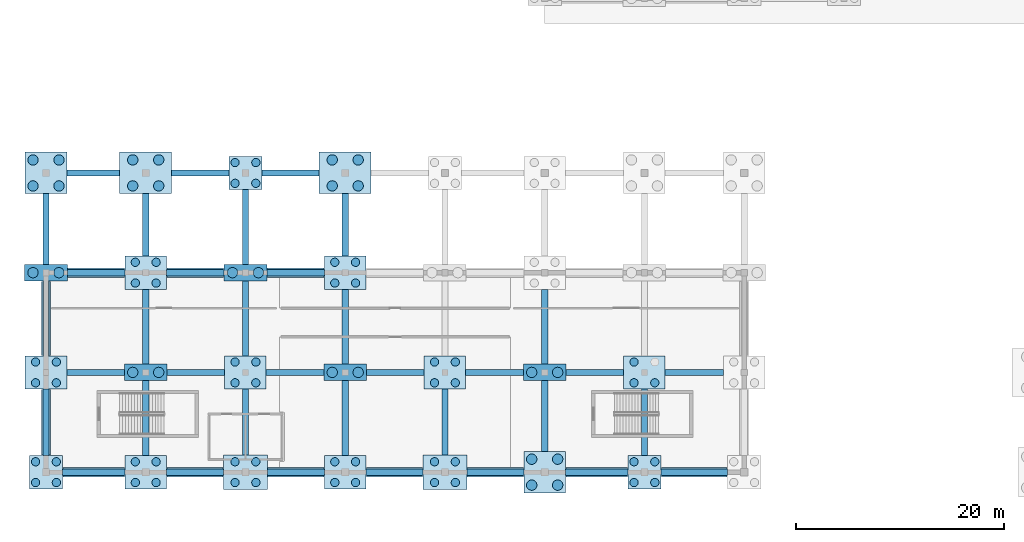
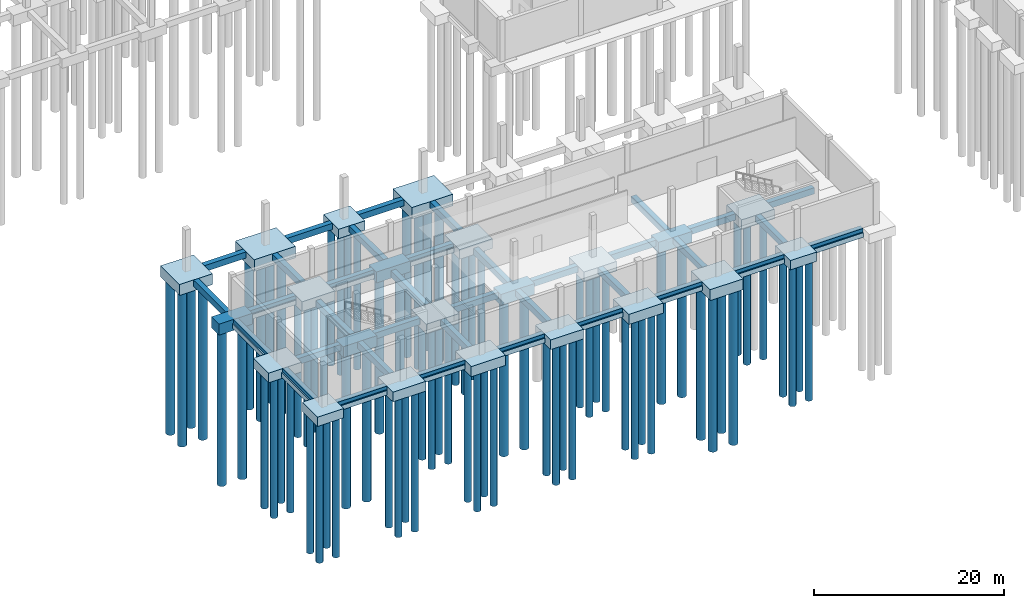
# One storey, part 1 of 41: 77 piles, 70 footings.
"""IFC4 building model written with IfcOpenShell, lengths in metres."""

from ifc_helpers import new_model, si_unit, direction, frame, origin, origin_2d, place, context, subcontext, project, spatial, rectangle, circle, extrude, material, material_profile, profile_set, type_object, element, save


model = new_model("IFC4")

# Units and contexts
model_context = context("Model", 3, precision=1e-05, world=origin(), true_north=direction((0.0, 1.0)))
body_context = subcontext(model_context, "Body", "Model", "MODEL_VIEW")
ifc_project = project(units=[si_unit("LENGTHUNIT", "METRE"), si_unit("AREAUNIT", "SQUARE_METRE"), si_unit("VOLUMEUNIT", "CUBIC_METRE"), si_unit("PLANEANGLEUNIT", "RADIAN"), si_unit("MASSUNIT", "GRAM", prefix="KILO")], contexts=[model_context])

# Site, building, storey
site_placement = place(None, origin())
site = spatial("IfcSite", under=ifc_project, at=site_placement, CompositionType="ELEMENT")
building_placement = place(site_placement, origin())
building = spatial("IfcBuilding", under=site, at=building_placement, Name="Shalvenor Court Art Gallery", CompositionType="ELEMENT")
storey_placement = place(building_placement, frame((0.0, 0.0, -5.39990234375)))
storey = spatial("IfcBuildingStorey", under=building, at=storey_placement, Name="B01", CompositionType="ELEMENT", Elevation=-5.39990234375)

# Footings
ifc_material_1 = material(Name="Concrete C35/45", Category="concrete")
footing_type_1 = type_object("IfcFootingType", Name="GB-01", PredefinedType="FOOTING_BEAM", material=ifc_material_1)
footing_1_placement = place(storey_placement, frame((0.0, 4.800048828125, -0.80029296875), z_axis=(0.0, 0.0, 1.0), x_axis=(0.0, 1.0, 0.0)))
element("IfcFooting", 1, at=footing_1_placement, inside=storey, type_object=footing_type_1, Name="B01 Ground Tie Beam FTG-189", PredefinedType="FOOTING_BEAM", context=body_context, shape_type="SweptSolid", body=[
    extrude(rectangle(XDim=6.39990234375, YDim=0.60009765625, at=origin_2d()), origin(), (0.0, 0.0, 1.0), 0.800048828125),
])
footing_2_placement = place(storey_placement, frame((0.0, 14.800048828125, -0.80029296875), z_axis=(0.0, 0.0, 1.0), x_axis=(0.0, 1.0, 0.0)))
element("IfcFooting", 2, at=footing_2_placement, inside=storey, type_object=footing_type_1, Name="B01 Ground Tie Beam FTG-190", PredefinedType="FOOTING_BEAM", context=body_context, shape_type="SweptSolid", body=[
    extrude(rectangle(XDim=7.199951171875, YDim=0.60009765625, at=origin_2d()), origin(), (0.0, 0.0, 1.0), 0.800048828125),
])
footing_3_placement = place(storey_placement, frame((0.0, 23.39990234375, -0.80029296875), z_axis=(0.0, 0.0, 1.0), x_axis=(0.0, 1.0, 0.0)))
element("IfcFooting", 3, at=footing_3_placement, inside=storey, type_object=footing_type_1, Name="B01 Ground Tie Beam FTG-191", PredefinedType="FOOTING_BEAM", context=body_context, shape_type="SweptSolid", body=[
    extrude(rectangle(XDim=6.800048828125, YDim=0.60009765625, at=origin_2d()), origin(), (0.0, 0.0, 1.0), 0.800048828125),
])
for number, where, z_axis, x_axis, name in (
    (4, (9.60009765625, 5.199951171875, -1.240234375), (0.0, 0.0, 1.0), (0.0, 1.0, 0.0), "B01 Ground Tie Beam FTG-198"),
    (5, (9.60009765625, 14.0, -1.240234375), (0.0, 0.0, 1.0), (0.0, 1.0, 0.0), "B01 Ground Tie Beam FTG-199"),
):
    element("IfcFooting", number, at=place(storey_placement, frame(where, z_axis=z_axis, x_axis=x_axis)), inside=storey, type_object=footing_type_1, Name=name, PredefinedType="FOOTING_BEAM", context=body_context, shape_type="SweptSolid", body=[
        extrude(rectangle(XDim=7.199951171875, YDim=0.60009765625, at=origin_2d()), origin(), (0.0, 0.0, 1.0), 0.800048828125),
    ])
footing_4_placement = place(storey_placement, frame((9.60009765625, 23.800048828125, -0.80029296875), z_axis=(0.0, 0.0, 1.0), x_axis=(0.0, 1.0, 0.0)))
element("IfcFooting", 6, at=footing_4_placement, inside=storey, type_object=footing_type_1, Name="B01 Ground Tie Beam FTG-200", PredefinedType="FOOTING_BEAM", context=body_context, shape_type="SweptSolid", body=[
    extrude(rectangle(XDim=6.0, YDim=0.60009765625, at=origin_2d()), origin(), (0.0, 0.0, 1.0), 0.800048828125),
])
footing_5_placement = place(storey_placement, frame((19.199951171875, 4.824951171875, -1.240234375), z_axis=(0.0, 0.0, 1.0), x_axis=(0.0, 1.0, 0.0)))
element("IfcFooting", 7, at=footing_5_placement, inside=storey, type_object=footing_type_1, Name="B01 Ground Tie Beam FTG-207", PredefinedType="FOOTING_BEAM", context=body_context, shape_type="SweptSolid", body=[
    extrude(rectangle(XDim=6.35009765625, YDim=0.60009765625, at=origin_2d()), origin(), (0.0, 0.0, 1.0), 0.800048828125),
])
for number, where, z_axis, x_axis, name in (
    (8, (19.199951171875, 14.800048828125, -1.240234375), (0.0, 0.0, 1.0), (0.0, 1.0, 0.0), "B01 Ground Tie Beam FTG-208"),
    (9, (19.199951171875, 23.60009765625, -0.80029296875), (0.0, 0.0, 1.0), (0.0, 1.0, 0.0), "B01 Ground Tie Beam FTG-209"),
    (10, (28.800048828125, 5.199951171875, -1.240234375), (0.0, 0.0, 1.0), (0.0, 1.0, 0.0), "B01 Ground Tie Beam FTG-212"),
    (11, (28.800048828125, 14.0, -1.240234375), (0.0, 0.0, 1.0), (0.0, 1.0, 0.0), "B01 Ground Tie Beam FTG-213"),
):
    element("IfcFooting", number, at=place(storey_placement, frame(where, z_axis=z_axis, x_axis=x_axis)), inside=storey, type_object=footing_type_1, Name=name, PredefinedType="FOOTING_BEAM", context=body_context, shape_type="SweptSolid", body=[
        extrude(rectangle(XDim=7.199951171875, YDim=0.60009765625, at=origin_2d()), origin(), (0.0, 0.0, 1.0), 0.800048828125),
    ])
footing_6_placement = place(storey_placement, frame((28.800048828125, 23.800048828125, -0.80029296875), z_axis=(0.0, 0.0, 1.0), x_axis=(0.0, 1.0, 0.0)))
element("IfcFooting", 12, at=footing_6_placement, inside=storey, type_object=footing_type_1, Name="B01 Ground Tie Beam FTG-214", PredefinedType="FOOTING_BEAM", context=body_context, shape_type="SweptSolid", body=[
    extrude(rectangle(XDim=6.0, YDim=0.60009765625, at=origin_2d()), origin(), (0.0, 0.0, 1.0), 0.800048828125),
])
footing_7_placement = place(storey_placement, frame((38.39990234375, 4.824951171875, -1.240234375), z_axis=(0.0, 0.0, 1.0), x_axis=(0.0, 1.0, 0.0)))
element("IfcFooting", 13, at=footing_7_placement, inside=storey, type_object=footing_type_1, Name="B01 Ground Tie Beam FTG-221", PredefinedType="FOOTING_BEAM", context=body_context, shape_type="SweptSolid", body=[
    extrude(rectangle(XDim=6.35009765625, YDim=0.60009765625, at=origin_2d()), origin(), (0.0, 0.0, 1.0), 0.800048828125),
])
footing_8_placement = place(storey_placement, frame((48.0, 5.39990234375, -1.240234375), z_axis=(0.0, 0.0, 1.0), x_axis=(0.0, 1.0, 0.0)))
element("IfcFooting", 14, at=footing_8_placement, inside=storey, type_object=footing_type_1, Name="B01 Ground Tie Beam FTG-230", PredefinedType="FOOTING_BEAM", context=body_context, shape_type="SweptSolid", body=[
    extrude(rectangle(XDim=6.800048828125, YDim=0.60009765625, at=origin_2d()), origin(), (0.0, 0.0, 1.0), 0.800048828125),
])
footing_9_placement = place(storey_placement, frame((48.0, 14.0, -1.240234375), z_axis=(0.0, 0.0, 1.0), x_axis=(0.0, 1.0, 0.0)))
element("IfcFooting", 15, at=footing_9_placement, inside=storey, type_object=footing_type_1, Name="B01 Ground Tie Beam FTG-231", PredefinedType="FOOTING_BEAM", context=body_context, shape_type="SweptSolid", body=[
    extrude(rectangle(XDim=7.199951171875, YDim=0.60009765625, at=origin_2d()), origin(), (0.0, 0.0, 1.0), 0.800048828125),
])
footing_10_placement = place(storey_placement, frame((57.60009765625, 4.800048828125, -1.240234375), z_axis=(0.0, 0.0, 1.0), x_axis=(0.0, 1.0, 0.0)))
element("IfcFooting", 16, at=footing_10_placement, inside=storey, type_object=footing_type_1, Name="B01 Ground Tie Beam FTG-235", PredefinedType="FOOTING_BEAM", context=body_context, shape_type="SweptSolid", body=[
    extrude(rectangle(XDim=6.39990234375, YDim=0.60009765625, at=origin_2d()), origin(), (0.0, 0.0, 1.0), 0.800048828125),
])
footing_11_placement = place(storey_placement, frame((4.60009765625, 0.0, -0.80029296875), z_axis=(0.0, 0.0, 1.0), x_axis=(1.0, 0.0, 0.0)))
element("IfcFooting", 17, at=footing_11_placement, inside=storey, type_object=footing_type_1, Name="B01 Ground Tie Beam FTG-334", PredefinedType="FOOTING_BEAM", context=body_context, shape_type="SweptSolid", body=[
    extrude(rectangle(XDim=6.0, YDim=0.60009765625, at=origin_2d()), origin(), (0.0, 0.0, 1.0), 0.800048828125),
])
for number, where, z_axis, x_axis, name in (
    (18, (14.35009765625, 0.0, -0.80029296875), (0.0, 0.0, 1.0), (1.0, 0.0, 0.0), "B01 Ground Tie Beam FTG-335"),
    (19, (24.050048828125, 0.0, -0.80029296875), (0.0, 0.0, 1.0), (1.0, 0.0, 0.0), "B01 Ground Tie Beam FTG-336"),
    (20, (33.550048828125, 0.0, -0.80029296875), (0.0, 0.0, 1.0), (1.0, 0.0, 0.0), "B01 Ground Tie Beam FTG-337"),
    (21, (43.25, 0.0, -0.80029296875), (0.0, 0.0, 1.0), (1.0, 0.0, 0.0), "B01 Ground Tie Beam FTG-338"),
):
    element("IfcFooting", number, at=place(storey_placement, frame(where, z_axis=z_axis, x_axis=x_axis)), inside=storey, type_object=footing_type_1, Name=name, PredefinedType="FOOTING_BEAM", context=body_context, shape_type="SweptSolid", body=[
        extrude(rectangle(XDim=5.5, YDim=0.60009765625, at=origin_2d()), origin(), (0.0, 0.0, 1.0), 0.800048828125),
    ])
footing_12_placement = place(storey_placement, frame((53.0, 0.0, -0.80029296875), z_axis=(0.0, 0.0, 1.0), x_axis=(1.0, 0.0, 0.0)))
element("IfcFooting", 22, at=footing_12_placement, inside=storey, type_object=footing_type_1, Name="B01 Ground Tie Beam FTG-339", PredefinedType="FOOTING_BEAM", context=body_context, shape_type="SweptSolid", body=[
    extrude(rectangle(XDim=6.0, YDim=0.60009765625, at=origin_2d()), origin(), (0.0, 0.0, 1.0), 0.800048828125),
])
footing_13_placement = place(storey_placement, frame((62.39990234375, 0.0, -0.80029296875), z_axis=(0.0, 0.0, 1.0), x_axis=(1.0, 0.0, 0.0)))
element("IfcFooting", 23, at=footing_13_placement, inside=storey, type_object=footing_type_1, Name="B01 Ground Tie Beam FTG-340", PredefinedType="FOOTING_BEAM", context=body_context, shape_type="SweptSolid", body=[
    extrude(rectangle(XDim=6.39990234375, YDim=0.60009765625, at=origin_2d()), origin(), (0.0, 0.0, 1.0), 0.800048828125),
])
for number, where, z_axis, x_axis, name in (
    (24, (4.77490234375, 9.60009765625, -1.240234375), (0.0, 0.0, 1.0), (1.0, 0.0, 0.0), "B01 Ground Tie Beam FTG-344"),
    (25, (14.425048828125, 9.60009765625, -1.240234375), (0.0, 0.0, 1.0), (1.0, 0.0, 0.0), "B01 Ground Tie Beam FTG-345"),
    (26, (23.97509765625, 9.60009765625, -1.240234375), (0.0, 0.0, 1.0), (1.0, 0.0, 0.0), "B01 Ground Tie Beam FTG-346"),
    (27, (33.625, 9.60009765625, -1.240234375), (0.0, 0.0, 1.0), (1.0, 0.0, 0.0), "B01 Ground Tie Beam FTG-347"),
    (28, (43.175048828125, 9.60009765625, -1.240234375), (0.0, 0.0, 1.0), (1.0, 0.0, 0.0), "B01 Ground Tie Beam FTG-348"),
    (29, (52.824951171875, 9.60009765625, -1.240234375), (0.0, 0.0, 1.0), (1.0, 0.0, 0.0), "B01 Ground Tie Beam FTG-349"),
):
    element("IfcFooting", number, at=place(storey_placement, frame(where, z_axis=z_axis, x_axis=x_axis)), inside=storey, type_object=footing_type_1, Name=name, PredefinedType="FOOTING_BEAM", context=body_context, shape_type="SweptSolid", body=[
        extrude(rectangle(XDim=5.550048828125, YDim=0.60009765625, at=origin_2d()), origin(), (0.0, 0.0, 1.0), 0.800048828125),
    ])
footing_14_placement = place(storey_placement, frame((62.39990234375, 9.60009765625, -1.240234375), z_axis=(0.0, 0.0, 1.0), x_axis=(1.0, 0.0, 0.0)))
element("IfcFooting", 30, at=footing_14_placement, inside=storey, type_object=footing_type_1, Name="B01 Ground Tie Beam FTG-350", PredefinedType="FOOTING_BEAM", context=body_context, shape_type="SweptSolid", body=[
    extrude(rectangle(XDim=5.60009765625, YDim=0.60009765625, at=origin_2d()), origin(), (0.0, 0.0, 1.0), 0.800048828125),
])
for number, where, z_axis, x_axis, name in (
    (31, (4.824951171875, 19.199951171875, -0.80029296875), (0.0, 0.0, 1.0), (1.0, 0.0, 0.0), "B01 Ground Tie Beam FTG-352"),
    (32, (14.375, 19.199951171875, -0.80029296875), (0.0, 0.0, 1.0), (1.0, 0.0, 0.0), "B01 Ground Tie Beam FTG-353"),
    (33, (24.02490234375, 19.199951171875, -0.80029296875), (0.0, 0.0, 1.0), (1.0, 0.0, 0.0), "B01 Ground Tie Beam FTG-354"),
):
    element("IfcFooting", number, at=place(storey_placement, frame(where, z_axis=z_axis, x_axis=x_axis)), inside=storey, type_object=footing_type_1, Name=name, PredefinedType="FOOTING_BEAM", context=body_context, shape_type="SweptSolid", body=[
        extrude(rectangle(XDim=5.550048828125, YDim=0.60009765625, at=origin_2d()), origin(), (0.0, 0.0, 1.0), 0.800048828125),
    ])
footing_15_placement = place(storey_placement, frame((4.550048828125, 28.800048828125, -0.80029296875), z_axis=(0.0, 0.0, 1.0), x_axis=(1.0, 0.0, 0.0)))
element("IfcFooting", 34, at=footing_15_placement, inside=storey, type_object=footing_type_1, Name="B01 Ground Tie Beam FTG-365", PredefinedType="FOOTING_BEAM", context=body_context, shape_type="SweptSolid", body=[
    extrude(rectangle(XDim=5.10009765625, YDim=0.60009765625, at=origin_2d()), origin(), (0.0, 0.0, 1.0), 0.800048828125),
])
for number, where, z_axis, x_axis, name in (
    (35, (14.85009765625, 28.800048828125, -0.80029296875), (0.0, 0.0, 1.0), (1.0, 0.0, 0.0), "B01 Ground Tie Beam FTG-366"),
    (36, (23.550048828125, 28.800048828125, -0.80029296875), (0.0, 0.0, 1.0), (1.0, 0.0, 0.0), "B01 Ground Tie Beam FTG-367"),
):
    element("IfcFooting", number, at=place(storey_placement, frame(where, z_axis=z_axis, x_axis=x_axis)), inside=storey, type_object=footing_type_1, Name=name, PredefinedType="FOOTING_BEAM", context=body_context, shape_type="SweptSolid", body=[
        extrude(rectangle(XDim=5.5, YDim=0.60009765625, at=origin_2d()), origin(), (0.0, 0.0, 1.0), 0.800048828125),
    ])
ifc_material_2 = material(Name="Concrete C35/45", Category="concrete")
footing_type_2 = type_object("IfcFootingType", Name="PC-02", PredefinedType="PILE_CAP", material=ifc_material_2)
for number, where, z_axis, x_axis, name in (
    (37, (0.0, 0.0, -1.2001953125), (0.0, 0.0, 1.0), (1.0, 0.0, 0.0), "B01 Pile Cap FTG-001"),
    (38, (19.199951171875, 28.800048828125, -1.2001953125), (0.0, 0.0, 1.0), (1.0, 0.0, 0.0), "B01 Pile Cap FTG-026"),
    (39, (57.60009765625, 0.0, -1.2001953125), (0.0, 0.0, 1.0), (1.0, 0.0, 0.0), "B01 Pile Cap FTG-061"),
):
    element("IfcFooting", number, at=place(storey_placement, frame(where, z_axis=z_axis, x_axis=x_axis)), inside=storey, type_object=footing_type_2, Name=name, PredefinedType="PILE_CAP", context=body_context, shape_type="SweptSolid", body=[
        extrude(rectangle(XDim=3.199951171875, YDim=3.199951171875, at=origin_2d()), origin(), (0.0, 0.0, 1.0), 1.199951171875),
    ])
ifc_material_3 = material(Name="Concrete C35/45", Category="concrete")
footing_type_3 = type_object("IfcFootingType", Name="PC-03", PredefinedType="PILE_CAP", material=ifc_material_3)
for number, where, z_axis, x_axis, name in (
    (40, (0.0, 9.60009765625, -1.25), (0.0, 0.0, 1.0), (1.0, 0.0, 0.0), "B01 Pile Cap FTG-002"),
    (41, (9.60009765625, 0.0, -1.25), (0.0, 0.0, 1.0), (1.0, 0.0, 0.0), "B01 Pile Cap FTG-012"),
    (42, (9.60009765625, 19.199951171875, -1.25), (0.0, 0.0, 1.0), (1.0, 0.0, 0.0), "B01 Pile Cap FTG-014"),
    (43, (19.199951171875, 9.60009765625, -1.690185546875), (0.0, 0.0, 1.0), (1.0, 0.0, 0.0), "B01 Pile Cap FTG-024"),
    (44, (28.800048828125, 0.0, -1.25), (0.0, 0.0, 1.0), (1.0, 0.0, 0.0), "B01 Pile Cap FTG-032"),
    (45, (28.800048828125, 19.199951171875, -1.25), (0.0, 0.0, 1.0), (1.0, 0.0, 0.0), "B01 Pile Cap FTG-034"),
    (46, (38.39990234375, 9.60009765625, -1.690185546875), (0.0, 0.0, 1.0), (1.0, 0.0, 0.0), "B01 Pile Cap FTG-044"),
    (47, (57.60009765625, 9.60009765625, -1.690185546875), (0.0, 0.0, 1.0), (1.0, 0.0, 0.0), "B01 Pile Cap FTG-062"),
):
    element("IfcFooting", number, at=place(storey_placement, frame(where, z_axis=z_axis, x_axis=x_axis)), inside=storey, type_object=footing_type_3, Name=name, PredefinedType="PILE_CAP", context=body_context, shape_type="SweptSolid", body=[
        extrude(rectangle(XDim=4.0, YDim=3.199951171875, at=origin_2d()), origin(), (0.0, 0.0, 1.0), 1.25),
    ])
ifc_material_4 = material(Name="Concrete C35/45", Category="concrete")
footing_type_4 = type_object("IfcFootingType", Name="PC-04", PredefinedType="PILE_CAP", material=ifc_material_4)
for number, where, z_axis, x_axis, name in (
    (48, (19.199951171875, 0.0, -1.30029296875), (0.0, 0.0, 1.0), (1.0, 0.0, 0.0), "B01 Pile Cap FTG-023"),
    (49, (38.39990234375, 0.0, -1.30029296875), (0.0, 0.0, 1.0), (1.0, 0.0, 0.0), "B01 Pile Cap FTG-043"),
):
    element("IfcFooting", number, at=place(storey_placement, frame(where, z_axis=z_axis, x_axis=x_axis)), inside=storey, type_object=footing_type_4, Name=name, PredefinedType="PILE_CAP", context=body_context, shape_type="SweptSolid", body=[
        extrude(rectangle(XDim=4.199951171875, YDim=3.300048828125, at=origin_2d()), origin(), (0.0, 0.0, 1.0), 1.300048828125),
    ])
ifc_material_5 = material(Name="Concrete C35/45", Category="concrete")
footing_type_5 = type_object("IfcFootingType", Name="PC-05", PredefinedType="PILE_CAP", material=ifc_material_5)
for number, where, z_axis, x_axis, name in (
    (50, (0.0, 19.199951171875, -1.400146484375), (0.0, 0.0, 1.0), (1.0, 0.0, 0.0), "B01 Pile Cap FTG-003"),
    (51, (9.60009765625, 9.60009765625, -1.840087890625), (0.0, 0.0, 1.0), (1.0, 0.0, 0.0), "B01 Pile Cap FTG-013"),
    (52, (19.199951171875, 19.199951171875, -1.400146484375), (0.0, 0.0, 1.0), (1.0, 0.0, 0.0), "B01 Pile Cap FTG-025"),
    (53, (28.800048828125, 9.60009765625, -1.840087890625), (0.0, 0.0, 1.0), (1.0, 0.0, 0.0), "B01 Pile Cap FTG-033"),
    (54, (48.0, 9.60009765625, -1.840087890625), (0.0, 0.0, 1.0), (1.0, 0.0, 0.0), "B01 Pile Cap FTG-055"),
):
    element("IfcFooting", number, at=place(storey_placement, frame(where, z_axis=z_axis, x_axis=x_axis)), inside=storey, type_object=footing_type_5, Name=name, PredefinedType="PILE_CAP", context=body_context, shape_type="SweptSolid", body=[
        extrude(rectangle(XDim=4.10009765625, YDim=1.60009765625, at=origin_2d()), origin(), (0.0, 0.0, 1.0), 1.39990234375),
    ])
ifc_material_6 = material(Name="Concrete C35/45", Category="concrete")
footing_type_6 = type_object("IfcFootingType", Name="PC-06", PredefinedType="PILE_CAP", material=ifc_material_6)
for number, where, z_axis, x_axis, name in (
    (55, (0.0, 28.800048828125, -1.400146484375), (0.0, 0.0, 1.0), (1.0, 0.0, 0.0), "B01 Pile Cap FTG-004"),
    (56, (48.0, 0.0, -1.400146484375), (0.0, 0.0, 1.0), (1.0, 0.0, 0.0), "B01 Pile Cap FTG-054"),
):
    element("IfcFooting", number, at=place(storey_placement, frame(where, z_axis=z_axis, x_axis=x_axis)), inside=storey, type_object=footing_type_6, Name=name, PredefinedType="PILE_CAP", context=body_context, shape_type="SweptSolid", body=[
        extrude(rectangle(XDim=4.0, YDim=4.0, at=origin_2d()), origin(), (0.0, 0.0, 1.0), 1.39990234375),
    ])
ifc_material_7 = material(Name="Concrete C35/45", Category="concrete")
footing_type_7 = type_object("IfcFootingType", Name="PC-07", PredefinedType="PILE_CAP", material=ifc_material_7)
for number, where, z_axis, x_axis, name in (
    (57, (9.60009765625, 28.800048828125, -1.5), (0.0, 0.0, 1.0), (1.0, 0.0, 0.0), "B01 Pile Cap FTG-015"),
    (58, (28.800048828125, 28.800048828125, -1.5), (0.0, 0.0, 1.0), (1.0, 0.0, 0.0), "B01 Pile Cap FTG-035"),
):
    element("IfcFooting", number, at=place(storey_placement, frame(where, z_axis=z_axis, x_axis=x_axis)), inside=storey, type_object=footing_type_7, Name=name, PredefinedType="PILE_CAP", context=body_context, shape_type="SweptSolid", body=[
        extrude(rectangle(XDim=5.0, YDim=4.0, at=origin_2d()), origin(), (0.0, 0.0, 1.0), 1.5),
    ])

# Piles
ifc_material_8 = material(Name="Concrete C35/45", Category="concrete")
ifc_material_profile_1 = material_profile(ifc_material_8, circle(Radius=0.5, at=origin_2d()), Name="PILE 1000")
ifc_profile_set_1 = profile_set([ifc_material_profile_1], Name="Concrete C35/45")
pile_type_1 = type_object("IfcPileType", Name="PL-1000", PredefinedType="BORED", material=ifc_profile_set_1)
for number, where, z_axis, x_axis, name in (
    (59, (-1.25, 19.199951171875, -1.300048828125), (0.0, 0.0, -1.0), (1.0, 0.0, 0.0), "B01 Bored Pile PIL-PL-1000-0009"),
    (60, (1.25, 19.199951171875, -1.300048828125), (0.0, 0.0, -1.0), (1.0, 0.0, 0.0), "B01 Bored Pile PIL-PL-1000-0010"),
    (61, (-1.25, 27.550048828125, -1.300048828125), (0.0, 0.0, -1.0), (1.0, 0.0, 0.0), "B01 Bored Pile PIL-PL-1000-0011"),
    (62, (1.25, 27.550048828125, -1.300048828125), (0.0, 0.0, -1.0), (1.0, 0.0, 0.0), "B01 Bored Pile PIL-PL-1000-0012"),
    (63, (-1.25, 30.050048828125, -1.300048828125), (0.0, 0.0, -1.0), (1.0, 0.0, 0.0), "B01 Bored Pile PIL-PL-1000-0013"),
    (64, (1.25, 30.050048828125, -1.300048828125), (0.0, 0.0, -1.0), (1.0, 0.0, 0.0), "B01 Bored Pile PIL-PL-1000-0014"),
    (65, (8.35009765625, 9.60009765625, -1.739990234375), (0.0, 0.0, -1.0), (1.0, 0.0, 0.0), "B01 Bored Pile PIL-PL-1000-0045"),
    (66, (10.85009765625, 9.60009765625, -1.739990234375), (0.0, 0.0, -1.0), (1.0, 0.0, 0.0), "B01 Bored Pile PIL-PL-1000-0046"),
    (67, (8.35009765625, 27.550048828125, -1.400146484375), (0.0, 0.0, -1.0), (1.0, 0.0, 0.0), "B01 Bored Pile PIL-PL-1000-0051"),
    (68, (10.85009765625, 27.550048828125, -1.400146484375), (0.0, 0.0, -1.0), (1.0, 0.0, 0.0), "B01 Bored Pile PIL-PL-1000-0052"),
    (69, (8.35009765625, 30.050048828125, -1.400146484375), (0.0, 0.0, -1.0), (1.0, 0.0, 0.0), "B01 Bored Pile PIL-PL-1000-0053"),
    (70, (10.85009765625, 30.050048828125, -1.400146484375), (0.0, 0.0, -1.0), (1.0, 0.0, 0.0), "B01 Bored Pile PIL-PL-1000-0054"),
    (71, (17.949951171875, 19.199951171875, -1.300048828125), (0.0, 0.0, -1.0), (1.0, 0.0, 0.0), "B01 Bored Pile PIL-PL-1000-0087"),
    (72, (20.449951171875, 19.199951171875, -1.300048828125), (0.0, 0.0, -1.0), (1.0, 0.0, 0.0), "B01 Bored Pile PIL-PL-1000-0088"),
    (73, (27.550048828125, 9.60009765625, -1.739990234375), (0.0, 0.0, -1.0), (1.0, 0.0, 0.0), "B01 Bored Pile PIL-PL-1000-0115"),
    (74, (30.050048828125, 9.60009765625, -1.739990234375), (0.0, 0.0, -1.0), (1.0, 0.0, 0.0), "B01 Bored Pile PIL-PL-1000-0116"),
    (75, (27.550048828125, 27.550048828125, -1.400146484375), (0.0, 0.0, -1.0), (1.0, 0.0, 0.0), "B01 Bored Pile PIL-PL-1000-0121"),
    (76, (30.050048828125, 27.550048828125, -1.400146484375), (0.0, 0.0, -1.0), (1.0, 0.0, 0.0), "B01 Bored Pile PIL-PL-1000-0122"),
    (77, (27.550048828125, 30.050048828125, -1.400146484375), (0.0, 0.0, -1.0), (1.0, 0.0, 0.0), "B01 Bored Pile PIL-PL-1000-0123"),
    (78, (30.050048828125, 30.050048828125, -1.400146484375), (0.0, 0.0, -1.0), (1.0, 0.0, 0.0), "B01 Bored Pile PIL-PL-1000-0124"),
    (79, (46.75, -1.25, -1.300048828125), (0.0, 0.0, -1.0), (1.0, 0.0, 0.0), "B01 Bored Pile PIL-PL-1000-0183"),
    (80, (49.25, -1.25, -1.300048828125), (0.0, 0.0, -1.0), (1.0, 0.0, 0.0), "B01 Bored Pile PIL-PL-1000-0184"),
    (81, (46.75, 1.25, -1.300048828125), (0.0, 0.0, -1.0), (1.0, 0.0, 0.0), "B01 Bored Pile PIL-PL-1000-0185"),
    (82, (49.25, 1.25, -1.300048828125), (0.0, 0.0, -1.0), (1.0, 0.0, 0.0), "B01 Bored Pile PIL-PL-1000-0186"),
    (83, (46.75, 9.60009765625, -1.739990234375), (0.0, 0.0, -1.0), (1.0, 0.0, 0.0), "B01 Bored Pile PIL-PL-1000-0187"),
    (84, (49.25, 9.60009765625, -1.739990234375), (0.0, 0.0, -1.0), (1.0, 0.0, 0.0), "B01 Bored Pile PIL-PL-1000-0188"),
):
    element("IfcPile", number, at=place(storey_placement, frame(where, z_axis=z_axis, x_axis=x_axis)), inside=storey, type_object=pile_type_1, Name=name, PredefinedType="BORED", context=body_context, shape_type="SweptSolid", body=[
        extrude(circle(Radius=0.5, at=origin_2d()), origin(), (0.0, 0.0, 1.0), 20.0),
    ])
ifc_material_9 = material(Name="Concrete C35/45", Category="concrete")
ifc_material_profile_2 = material_profile(ifc_material_9, circle(Radius=0.39990234375, at=origin_2d()), Name="PILE 800")
ifc_profile_set_2 = profile_set([ifc_material_profile_2], Name="Concrete C35/45")
pile_type_2 = type_object("IfcPileType", Name="PL-800", PredefinedType="BORED", material=ifc_profile_set_2)
for number, where, z_axis, x_axis, name in (
    (85, (-1.0, -1.0, -1.10009765625), (0.0, 0.0, -1.0), (1.0, 0.0, 0.0), "B01 Bored Pile PIL-PL-800-0001"),
    (86, (1.0, -1.0, -1.10009765625), (0.0, 0.0, -1.0), (1.0, 0.0, 0.0), "B01 Bored Pile PIL-PL-800-0002"),
    (87, (-1.0, 1.0, -1.10009765625), (0.0, 0.0, -1.0), (1.0, 0.0, 0.0), "B01 Bored Pile PIL-PL-800-0003"),
    (88, (1.0, 1.0, -1.10009765625), (0.0, 0.0, -1.0), (1.0, 0.0, 0.0), "B01 Bored Pile PIL-PL-800-0004"),
    (89, (-1.0, 8.60009765625, -1.150146484375), (0.0, 0.0, -1.0), (1.0, 0.0, 0.0), "B01 Bored Pile PIL-PL-800-0005"),
    (90, (1.0, 8.60009765625, -1.150146484375), (0.0, 0.0, -1.0), (1.0, 0.0, 0.0), "B01 Bored Pile PIL-PL-800-0006"),
    (91, (-1.0, 10.60009765625, -1.150146484375), (0.0, 0.0, -1.0), (1.0, 0.0, 0.0), "B01 Bored Pile PIL-PL-800-0007"),
    (92, (1.0, 10.60009765625, -1.150146484375), (0.0, 0.0, -1.0), (1.0, 0.0, 0.0), "B01 Bored Pile PIL-PL-800-0008"),
    (93, (8.60009765625, -1.0, -1.150146484375), (0.0, 0.0, -1.0), (1.0, 0.0, 0.0), "B01 Bored Pile PIL-PL-800-0041"),
    (94, (10.60009765625, -1.0, -1.150146484375), (0.0, 0.0, -1.0), (1.0, 0.0, 0.0), "B01 Bored Pile PIL-PL-800-0042"),
    (95, (8.60009765625, 1.0, -1.150146484375), (0.0, 0.0, -1.0), (1.0, 0.0, 0.0), "B01 Bored Pile PIL-PL-800-0043"),
    (96, (10.60009765625, 1.0, -1.150146484375), (0.0, 0.0, -1.0), (1.0, 0.0, 0.0), "B01 Bored Pile PIL-PL-800-0044"),
    (97, (8.60009765625, 18.199951171875, -1.150146484375), (0.0, 0.0, -1.0), (1.0, 0.0, 0.0), "B01 Bored Pile PIL-PL-800-0047"),
    (98, (10.60009765625, 18.199951171875, -1.150146484375), (0.0, 0.0, -1.0), (1.0, 0.0, 0.0), "B01 Bored Pile PIL-PL-800-0048"),
    (99, (8.60009765625, 20.199951171875, -1.150146484375), (0.0, 0.0, -1.0), (1.0, 0.0, 0.0), "B01 Bored Pile PIL-PL-800-0049"),
    (100, (10.60009765625, 20.199951171875, -1.150146484375), (0.0, 0.0, -1.0), (1.0, 0.0, 0.0), "B01 Bored Pile PIL-PL-800-0050"),
    (101, (18.199951171875, -1.0, -1.2001953125), (0.0, 0.0, -1.0), (1.0, 0.0, 0.0), "B01 Bored Pile PIL-PL-800-0079"),
    (102, (20.199951171875, -1.0, -1.2001953125), (0.0, 0.0, -1.0), (1.0, 0.0, 0.0), "B01 Bored Pile PIL-PL-800-0080"),
    (103, (18.199951171875, 1.0, -1.2001953125), (0.0, 0.0, -1.0), (1.0, 0.0, 0.0), "B01 Bored Pile PIL-PL-800-0081"),
    (104, (20.199951171875, 1.0, -1.2001953125), (0.0, 0.0, -1.0), (1.0, 0.0, 0.0), "B01 Bored Pile PIL-PL-800-0082"),
    (105, (18.199951171875, 8.60009765625, -1.590087890625), (0.0, 0.0, -1.0), (1.0, 0.0, 0.0), "B01 Bored Pile PIL-PL-800-0083"),
    (106, (20.199951171875, 8.60009765625, -1.590087890625), (0.0, 0.0, -1.0), (1.0, 0.0, 0.0), "B01 Bored Pile PIL-PL-800-0084"),
    (107, (18.199951171875, 10.60009765625, -1.590087890625), (0.0, 0.0, -1.0), (1.0, 0.0, 0.0), "B01 Bored Pile PIL-PL-800-0085"),
    (108, (20.199951171875, 10.60009765625, -1.590087890625), (0.0, 0.0, -1.0), (1.0, 0.0, 0.0), "B01 Bored Pile PIL-PL-800-0086"),
    (109, (18.199951171875, 27.800048828125, -1.10009765625), (0.0, 0.0, -1.0), (1.0, 0.0, 0.0), "B01 Bored Pile PIL-PL-800-0089"),
    (110, (20.199951171875, 27.800048828125, -1.10009765625), (0.0, 0.0, -1.0), (1.0, 0.0, 0.0), "B01 Bored Pile PIL-PL-800-0090"),
    (111, (18.199951171875, 29.800048828125, -1.10009765625), (0.0, 0.0, -1.0), (1.0, 0.0, 0.0), "B01 Bored Pile PIL-PL-800-0091"),
    (112, (20.199951171875, 29.800048828125, -1.10009765625), (0.0, 0.0, -1.0), (1.0, 0.0, 0.0), "B01 Bored Pile PIL-PL-800-0092"),
    (113, (27.800048828125, -1.0, -1.150146484375), (0.0, 0.0, -1.0), (1.0, 0.0, 0.0), "B01 Bored Pile PIL-PL-800-0111"),
    (114, (29.800048828125, -1.0, -1.150146484375), (0.0, 0.0, -1.0), (1.0, 0.0, 0.0), "B01 Bored Pile PIL-PL-800-0112"),
    (115, (27.800048828125, 1.0, -1.150146484375), (0.0, 0.0, -1.0), (1.0, 0.0, 0.0), "B01 Bored Pile PIL-PL-800-0113"),
    (116, (29.800048828125, 1.0, -1.150146484375), (0.0, 0.0, -1.0), (1.0, 0.0, 0.0), "B01 Bored Pile PIL-PL-800-0114"),
    (117, (27.800048828125, 18.199951171875, -1.150146484375), (0.0, 0.0, -1.0), (1.0, 0.0, 0.0), "B01 Bored Pile PIL-PL-800-0117"),
    (118, (29.800048828125, 18.199951171875, -1.150146484375), (0.0, 0.0, -1.0), (1.0, 0.0, 0.0), "B01 Bored Pile PIL-PL-800-0118"),
    (119, (27.800048828125, 20.199951171875, -1.150146484375), (0.0, 0.0, -1.0), (1.0, 0.0, 0.0), "B01 Bored Pile PIL-PL-800-0119"),
    (120, (29.800048828125, 20.199951171875, -1.150146484375), (0.0, 0.0, -1.0), (1.0, 0.0, 0.0), "B01 Bored Pile PIL-PL-800-0120"),
    (121, (37.39990234375, -1.0, -1.2001953125), (0.0, 0.0, -1.0), (1.0, 0.0, 0.0), "B01 Bored Pile PIL-PL-800-0149"),
    (122, (39.39990234375, -1.0, -1.2001953125), (0.0, 0.0, -1.0), (1.0, 0.0, 0.0), "B01 Bored Pile PIL-PL-800-0150"),
    (123, (37.39990234375, 1.0, -1.2001953125), (0.0, 0.0, -1.0), (1.0, 0.0, 0.0), "B01 Bored Pile PIL-PL-800-0151"),
    (124, (39.39990234375, 1.0, -1.2001953125), (0.0, 0.0, -1.0), (1.0, 0.0, 0.0), "B01 Bored Pile PIL-PL-800-0152"),
    (125, (37.39990234375, 8.60009765625, -1.590087890625), (0.0, 0.0, -1.0), (1.0, 0.0, 0.0), "B01 Bored Pile PIL-PL-800-0153"),
    (126, (39.39990234375, 8.60009765625, -1.590087890625), (0.0, 0.0, -1.0), (1.0, 0.0, 0.0), "B01 Bored Pile PIL-PL-800-0154"),
    (127, (37.39990234375, 10.60009765625, -1.590087890625), (0.0, 0.0, -1.0), (1.0, 0.0, 0.0), "B01 Bored Pile PIL-PL-800-0155"),
    (128, (39.39990234375, 10.60009765625, -1.590087890625), (0.0, 0.0, -1.0), (1.0, 0.0, 0.0), "B01 Bored Pile PIL-PL-800-0156"),
    (129, (56.60009765625, -1.0, -1.10009765625), (0.0, 0.0, -1.0), (1.0, 0.0, 0.0), "B01 Bored Pile PIL-PL-800-0205"),
    (130, (58.60009765625, -1.0, -1.10009765625), (0.0, 0.0, -1.0), (1.0, 0.0, 0.0), "B01 Bored Pile PIL-PL-800-0206"),
    (131, (56.60009765625, 1.0, -1.10009765625), (0.0, 0.0, -1.0), (1.0, 0.0, 0.0), "B01 Bored Pile PIL-PL-800-0207"),
    (132, (58.60009765625, 1.0, -1.10009765625), (0.0, 0.0, -1.0), (1.0, 0.0, 0.0), "B01 Bored Pile PIL-PL-800-0208"),
    (133, (56.60009765625, 8.60009765625, -1.590087890625), (0.0, 0.0, -1.0), (1.0, 0.0, 0.0), "B01 Bored Pile PIL-PL-800-0209"),
    (134, (58.60009765625, 8.60009765625, -1.590087890625), (0.0, 0.0, -1.0), (1.0, 0.0, 0.0), "B01 Bored Pile PIL-PL-800-0210"),
    (135, (56.60009765625, 10.60009765625, -1.590087890625), (0.0, 0.0, -1.0), (1.0, 0.0, 0.0), "B01 Bored Pile PIL-PL-800-0211"),
):
    element("IfcPile", number, at=place(storey_placement, frame(where, z_axis=z_axis, x_axis=x_axis)), inside=storey, type_object=pile_type_2, Name=name, PredefinedType="BORED", context=body_context, shape_type="SweptSolid", body=[
        extrude(circle(Radius=0.39990234375, at=origin_2d()), origin(), (0.0, 0.0, 1.0), 18.0),
    ])

# Footings
ifc_material_10 = material(Name="Concrete C35/45", Category="concrete")
footing_type_8 = type_object("IfcFootingType", Name="SF-01", PredefinedType="STRIP_FOOTING", material=ifc_material_10)
for number, where, z_axis, x_axis, name in (
    (136, (4.824951171875, 19.199951171875, -1.0400390625), (0.0, 0.0, 1.0), (1.0, 0.0, 0.0), "B01 Strip Footing FTG-531"),
    (137, (14.375, 19.199951171875, -1.0400390625), (0.0, 0.0, 1.0), (1.0, 0.0, 0.0), "B01 Strip Footing FTG-532"),
    (138, (24.02490234375, 19.199951171875, -1.0400390625), (0.0, 0.0, 1.0), (1.0, 0.0, 0.0), "B01 Strip Footing FTG-533"),
):
    element("IfcFooting", number, at=place(storey_placement, frame(where, z_axis=z_axis, x_axis=x_axis)), inside=storey, type_object=footing_type_8, Name=name, PredefinedType="STRIP_FOOTING", context=body_context, shape_type="SweptSolid", body=[
        extrude(rectangle(XDim=5.469970703125, YDim=0.89990234375, at=origin_2d()), origin(), (0.0, 0.0, 1.0), 0.60009765625),
    ])
footing_16_placement = place(storey_placement, frame((62.39990234375, 0.0, -1.0400390625), z_axis=(0.0, 0.0, 1.0), x_axis=(1.0, 0.0, 0.0)))
element("IfcFooting", 139, at=footing_16_placement, inside=storey, type_object=footing_type_8, Name="B01 Strip Footing FTG-540", PredefinedType="STRIP_FOOTING", context=body_context, shape_type="SweptSolid", body=[
    extrude(rectangle(XDim=6.320068359375, YDim=0.89990234375, at=origin_2d()), origin(), (0.0, 0.0, 1.0), 0.60009765625),
])
footing_17_placement = place(storey_placement, frame((53.0, 0.0, -1.0400390625), z_axis=(0.0, 0.0, 1.0), x_axis=(1.0, 0.0, 0.0)))
element("IfcFooting", 140, at=footing_17_placement, inside=storey, type_object=footing_type_8, Name="B01 Strip Footing FTG-541", PredefinedType="STRIP_FOOTING", context=body_context, shape_type="SweptSolid", body=[
    extrude(rectangle(XDim=5.919921875, YDim=0.89990234375, at=origin_2d()), origin(), (0.0, 0.0, 1.0), 0.60009765625),
])
for number, where, z_axis, x_axis, name in (
    (141, (43.25, 0.0, -1.0400390625), (0.0, 0.0, 1.0), (1.0, 0.0, 0.0), "B01 Strip Footing FTG-542"),
    (142, (33.550048828125, 0.0, -1.0400390625), (0.0, 0.0, 1.0), (1.0, 0.0, 0.0), "B01 Strip Footing FTG-543"),
    (143, (24.050048828125, 0.0, -1.0400390625), (0.0, 0.0, 1.0), (1.0, 0.0, 0.0), "B01 Strip Footing FTG-544"),
    (144, (14.35009765625, 0.0, -1.0400390625), (0.0, 0.0, 1.0), (1.0, 0.0, 0.0), "B01 Strip Footing FTG-545"),
):
    element("IfcFooting", number, at=place(storey_placement, frame(where, z_axis=z_axis, x_axis=x_axis)), inside=storey, type_object=footing_type_8, Name=name, PredefinedType="STRIP_FOOTING", context=body_context, shape_type="SweptSolid", body=[
        extrude(rectangle(XDim=5.419921875, YDim=0.89990234375, at=origin_2d()), origin(), (0.0, 0.0, 1.0), 0.60009765625),
    ])
footing_18_placement = place(storey_placement, frame((4.60009765625, 0.0, -1.0400390625), z_axis=(0.0, 0.0, 1.0), x_axis=(1.0, 0.0, 0.0)))
element("IfcFooting", 145, at=footing_18_placement, inside=storey, type_object=footing_type_8, Name="B01 Strip Footing FTG-546", PredefinedType="STRIP_FOOTING", context=body_context, shape_type="SweptSolid", body=[
    extrude(rectangle(XDim=5.919921875, YDim=0.89990234375, at=origin_2d()), origin(), (0.0, 0.0, 1.0), 0.60009765625),
])
footing_19_placement = place(storey_placement, frame((0.0, 4.800048828125, -1.0400390625), z_axis=(0.0, 0.0, 1.0), x_axis=(0.0, 1.0, 0.0)))
element("IfcFooting", 146, at=footing_19_placement, inside=storey, type_object=footing_type_8, Name="B01 Strip Footing FTG-547", PredefinedType="STRIP_FOOTING", context=body_context, shape_type="SweptSolid", body=[
    extrude(rectangle(XDim=6.320068359375, YDim=0.89990234375, at=origin_2d()), origin(), (0.0, 0.0, 1.0), 0.60009765625),
])
footing_20_placement = place(storey_placement, frame((0.0, 14.800048828125, -1.0400390625), z_axis=(0.0, 0.0, 1.0), x_axis=(0.0, 1.0, 0.0)))
element("IfcFooting", 147, at=footing_20_placement, inside=storey, type_object=footing_type_8, Name="B01 Strip Footing FTG-548", PredefinedType="STRIP_FOOTING", context=body_context, shape_type="SweptSolid", body=[
    extrude(rectangle(XDim=7.1201171875, YDim=0.89990234375, at=origin_2d()), origin(), (0.0, 0.0, 1.0), 0.60009765625),
])

save(model, "model.ifc")
